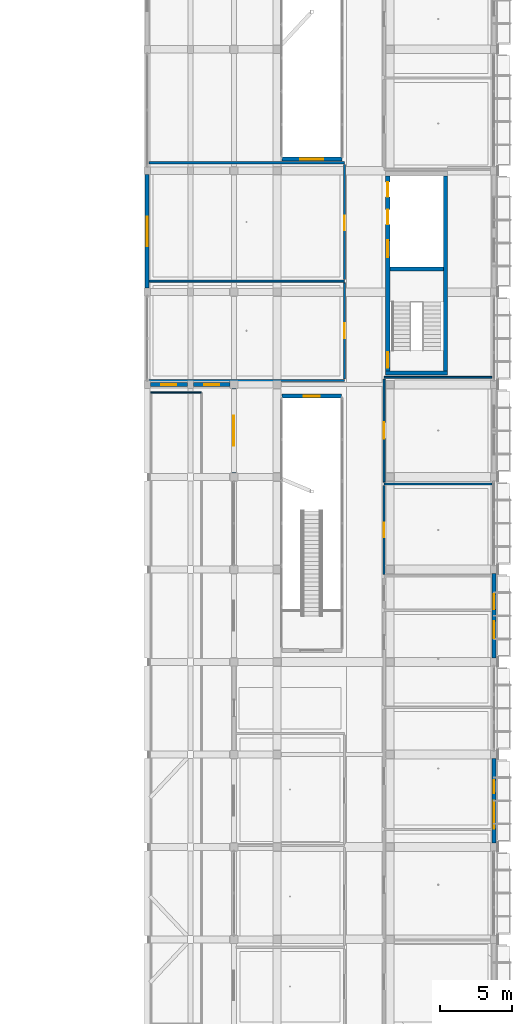
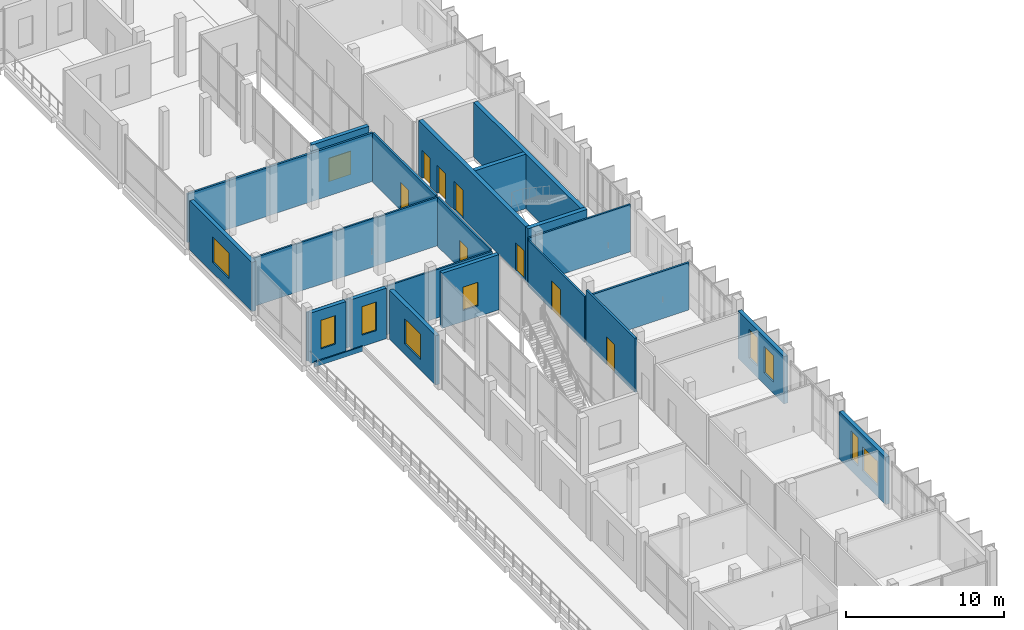
# One storey, part 62 of 95: 22 walls, 10 windows, 8 doors, 18 openings.
"""IFC4 building model written with IfcOpenShell, lengths in metres."""

from ifc_helpers import new_model, si_unit, derived_unit, direction, frame, frame_2d, origin, origin_with_axes, place, context, subcontext, project, spatial, rectangle, extrude, material, layer, layer_set, type_object, element, fill, save


model = new_model("IFC4")

# Units and contexts
model_context = context("Model", 3, precision=1e-05, world=origin(), true_north=direction((0.0, 1.0)))
body_context = subcontext(model_context, "Body", "Model", "MODEL_VIEW")
ifc_project = project(units=[si_unit("LENGTHUNIT", "METRE"), si_unit("AREAUNIT", "SQUARE_METRE"), si_unit("VOLUMEUNIT", "CUBIC_METRE"), si_unit("PLANEANGLEUNIT", "RADIAN"), si_unit("MASSUNIT", "GRAM", prefix="KILO"), derived_unit("THERMALTRANSMITTANCEUNIT", [(si_unit("POWERUNIT", "WATT"), 1), (si_unit("LENGTHUNIT", "METRE"), -2), (si_unit("THERMODYNAMICTEMPERATUREUNIT", "KELVIN"), -1)])], contexts=[model_context])

# Site, building, storey
site_placement = place(None, origin())
site = spatial("IfcSite", under=ifc_project, at=site_placement, CompositionType="ELEMENT")
building_placement = place(site_placement, origin())
building = spatial("IfcBuilding", under=site, at=building_placement, Name="Braskholm Square Health Centre", CompositionType="ELEMENT")
storey_placement = place(building_placement, frame((0.0, 0.0, 4.800048828125)))
storey = spatial("IfcBuildingStorey", under=building, at=storey_placement, Name="L02", CompositionType="ELEMENT", Elevation=4.800048828125)

# Wall, opening, door
ifc_material_1 = material(Name="Acoustic gypsum board partition")
ifc_layer_1 = layer(ifc_material_1, 0.125)
ifc_layer_set_1 = layer_set([ifc_layer_1], Name="Acoustic gypsum board partition")
wall_type_1 = type_object("IfcWallType", Name="ClinicalExamPartition125", PredefinedType="PARTITIONING", material=ifc_layer_set_1)
wall_1_placement = place(storey_placement, frame((156.199951171875, 42.239990234375, 0.0), z_axis=(0.0, 0.0, 1.0), x_axis=(0.0, 1.0, 0.0)))
wall_1 = element("IfcWall", 1, at=wall_1_placement, inside=storey, type_object=wall_type_1, Name="Interior partition PWALL-L02-0347", PredefinedType="PARTITIONING", context=body_context, shape_type="SweptSolid", body=[
    extrude(rectangle(XDim=7.139892578125, YDim=0.125, at=frame_2d((3.56982421875, 0.0))), origin(), (0.0, 0.0, 1.0), 3.544921875),
])
opening_1_placement = place(wall_1_placement, frame((3.0, 0.0, 0.0)))
opening_1 = element("IfcOpeningElement", 2, at=opening_1_placement, cuts=wall_1, Name="Opening D-26", PredefinedType="OPENING", context=body_context, shape_type="SweptSolid", body=[
    extrude(rectangle(XDim=1.139892578125, YDim=2.219970703125, at=frame_2d((0.56982421875, 1.10986328125))), frame((0.0, 0.072509765625, 0.0), z_axis=(0.0, -1.0, 0.0), x_axis=(1.0, 0.0, 0.0)), (0.0, 0.0, 1.0), 0.14501953125),
])
ifc_material_2 = material(Name="Architectural bronze anodised aluminium", Category="aluminium")
door_type_1 = type_object("IfcDoorType", Name="DoorExamWide1140x2220", OperationType="NOTDEFINED", PredefinedType="DOOR", material=ifc_material_2)
door_1_placement = place(opening_1_placement, frame((1.139892578125, 0.0, 0.0), z_axis=(0.0, 0.0, 1.0), x_axis=(-1.0, 0.0, 0.0)))
door_1 = element("IfcDoor", 3, at=door_1_placement, inside=storey, type_object=door_type_1, Name="Interior door 0162 L02", OperationType="SINGLE_SWING_LEFT", OverallHeight=2.219970703125, OverallWidth=1.139892578125, PredefinedType="DOOR", context=body_context, shape_type="SweptSolid", body=[
    extrude(rectangle(XDim=1.139892578125, YDim=2.219970703125, at=frame_2d((0.56982421875, 1.10986328125))), frame((0.0, 0.02490234375, 0.0), z_axis=(0.0, -1.0, 0.0), x_axis=(1.0, 0.0, 0.0)), (0.0, 0.0, 1.0), 0.050048828125),
])
fill(opening_1, door_1)

# Wall
wall_2_placement = place(storey_placement, frame((156.199951171875, 49.5, 0.0), z_axis=(0.0, 0.0, 1.0), x_axis=(1.0, 0.0, 0.0)))
element("IfcWall", 4, at=wall_2_placement, inside=storey, type_object=wall_type_1, Name="Interior partition PWALL-L02-0348", PredefinedType="PARTITIONING", context=body_context, shape_type="SweptSolid", body=[
    extrude(rectangle(XDim=7.4599609375, YDim=0.125, at=frame_2d((3.72998046875, 0.0))), origin(), (0.0, 0.0, 1.0), 3.64501953125),
])

# Wall, opening, door
wall_3_placement = place(storey_placement, frame((153.449951171875, 49.39990234375, 0.0), z_axis=(0.0, 0.0, 1.0), x_axis=(0.0, 1.0, 0.0)))
wall_3 = element("IfcWall", 5, at=wall_3_placement, inside=storey, type_object=wall_type_1, Name="Interior partition PWALL-L02-0372", PredefinedType="PARTITIONING", context=body_context, shape_type="SweptSolid", body=[
    extrude(rectangle(XDim=6.64013671875, YDim=0.125, at=frame_2d((3.320068359375, 0.0))), origin(), (0.0, 0.0, 1.0), 3.794921875),
])
opening_2_placement = place(wall_3_placement, frame((2.81005859375, 0.0, 0.0)))
opening_2 = element("IfcOpeningElement", 6, at=opening_2_placement, cuts=wall_3, Name="Opening D-25", PredefinedType="OPENING", context=body_context, shape_type="SweptSolid", body=[
    extrude(rectangle(XDim=1.02001953125, YDim=2.179931640625, at=frame_2d((0.510009765625, 1.08984375))), frame((0.0, 0.072509765625, 0.0), z_axis=(0.0, -1.0, 0.0), x_axis=(1.0, 0.0, 0.0)), (0.0, 0.0, 1.0), 0.14501953125),
])
door_type_2 = type_object("IfcDoorType", Name="DoorConsultWide1020x2180", OperationType="NOTDEFINED", PredefinedType="DOOR", material=ifc_material_2)
door_2_placement = place(opening_2_placement, origin_with_axes())
door_2 = element("IfcDoor", 7, at=door_2_placement, inside=storey, type_object=door_type_2, Name="Interior door 0175 L02", OperationType="SINGLE_SWING_LEFT", OverallHeight=2.179931640625, OverallWidth=1.02001953125, PredefinedType="DOOR", context=body_context, shape_type="SweptSolid", body=[
    extrude(rectangle(XDim=1.02001953125, YDim=2.179931640625, at=frame_2d((0.510009765625, 1.08984375))), frame((0.0, 0.02490234375, 0.0), z_axis=(0.0, -1.0, 0.0), x_axis=(1.0, 0.0, 0.0)), (0.0, 0.0, 1.0), 0.050048828125),
])
fill(opening_2, door_2)

# Walls
for number, where, z_axis, x_axis, name in (
    (8, (139.93994140625, 49.280029296875, 0.0), (0.0, 0.0, 1.0), (1.0, 0.0, 0.0), "Interior partition PWALL-L02-0373"),
    (9, (139.93994140625, 56.159912109375, 0.0), (0.0, 0.0, 1.0), (1.0, 0.0, 0.0), "Interior partition PWALL-L02-0374"),
):
    element("IfcWall", number, at=place(storey_placement, frame(where, z_axis=z_axis, x_axis=x_axis)), inside=storey, type_object=wall_type_1, Name=name, PredefinedType="PARTITIONING", context=body_context, shape_type="SweptSolid", body=[
        extrude(rectangle(XDim=13.510009765625, YDim=0.125, at=frame_2d((6.7548828125, 0.0))), origin(), (0.0, 0.0, 1.0), 3.73486328125),
    ])

# Wall, opening, door
ifc_layer_2 = layer(ifc_material_1, 0.14990234375)
ifc_layer_set_2 = layer_set([ifc_layer_2], Name="Acoustic gypsum board partition")
wall_type_2 = type_object("IfcWallType", Name="CorridorAcousticPartition150", PredefinedType="PARTITIONING", material=ifc_layer_set_2)
wall_4_placement = place(storey_placement, frame((156.199951171875, 35.860107421875, 0.0), z_axis=(0.0, 0.0, 1.0), x_axis=(0.0, 1.0, 0.0)))
wall_4 = element("IfcWall", 10, at=wall_4_placement, inside=storey, type_object=wall_type_2, Name="Interior partition PWALL-L02-0345", PredefinedType="PARTITIONING", context=body_context, shape_type="SweptSolid", body=[
    extrude(rectangle(XDim=6.139892578125, YDim=0.14990234375, at=frame_2d((3.06982421875, 0.0))), origin(), (0.0, 0.0, 1.0), 4.195068359375),
])
opening_3_placement = place(wall_4_placement, frame((2.570068359375, 0.0, 0.0)))
opening_3 = element("IfcOpeningElement", 11, at=opening_3_placement, cuts=wall_4, Name="Opening D-02", PredefinedType="OPENING", context=body_context, shape_type="SweptSolid", body=[
    extrude(rectangle(XDim=1.0, YDim=2.14990234375, at=frame_2d((0.5, 1.074951171875))), frame((0.0, 0.0849609375, 0.0), z_axis=(0.0, -1.0, 0.0), x_axis=(1.0, 0.0, 0.0)), (0.0, 0.0, 1.0), 0.169921875),
])
door_type_3 = type_object("IfcDoorType", Name="DoorExamSingle1000x2150", OperationType="NOTDEFINED", PredefinedType="DOOR", material=ifc_material_2)
door_3_placement = place(opening_3_placement, frame((1.0, 0.0, 0.0), z_axis=(0.0, 0.0, 1.0), x_axis=(-1.0, 0.0, 0.0)))
door_3 = element("IfcDoor", 12, at=door_3_placement, inside=storey, type_object=door_type_3, Name="Interior door 0161 L02", OperationType="SINGLE_SWING_RIGHT", OverallHeight=2.14990234375, OverallWidth=1.0, PredefinedType="DOOR", context=body_context, shape_type="SweptSolid", body=[
    extrude(rectangle(XDim=1.0, YDim=2.14990234375, at=frame_2d((0.5, 1.074951171875))), frame((0.0, 0.02490234375, 0.0), z_axis=(0.0, -1.0, 0.0), x_axis=(1.0, 0.0, 0.0)), (0.0, 0.0, 1.0), 0.050048828125),
])
fill(opening_3, door_3)

# Wall
wall_5_placement = place(storey_placement, frame((156.199951171875, 42.1201171875, 0.0), z_axis=(0.0, 0.0, 1.0), x_axis=(1.0, 0.0, 0.0)))
element("IfcWall", 13, at=wall_5_placement, inside=storey, type_object=wall_type_2, Name="Interior partition PWALL-L02-0346", PredefinedType="PARTITIONING", context=body_context, shape_type="SweptSolid", body=[
    extrude(rectangle(XDim=7.4599609375, YDim=0.14990234375, at=frame_2d((3.72998046875, 0.0))), origin(), (0.0, 0.0, 1.0), 3.64501953125),
])

# Wall, opening, door
wall_6_placement = place(storey_placement, frame((153.449951171875, 56.280029296875, 0.0), z_axis=(0.0, 0.0, 1.0), x_axis=(0.0, 1.0, 0.0)))
wall_6 = element("IfcWall", 14, at=wall_6_placement, inside=storey, type_object=wall_type_2, Name="Interior partition PWALL-L02-0375", PredefinedType="PARTITIONING", context=body_context, shape_type="SweptSolid", body=[
    extrude(rectangle(XDim=7.949951171875, YDim=0.14990234375, at=frame_2d((3.97509765625, 0.0))), origin(), (0.0, 0.0, 1.0), 3.794921875),
])
opening_4_placement = place(wall_6_placement, frame((3.409912109375, 0.0, 0.0)))
opening_4 = element("IfcOpeningElement", 15, at=opening_4_placement, cuts=wall_6, Name="Opening D-10", PredefinedType="OPENING", context=body_context, shape_type="SweptSolid", body=[
    extrude(rectangle(XDim=0.97998046875, YDim=2.1201171875, at=frame_2d((0.489990234375, 1.06005859375))), frame((0.0, 0.0849609375, 0.0), z_axis=(0.0, -1.0, 0.0), x_axis=(1.0, 0.0, 0.0)), (0.0, 0.0, 1.0), 0.169921875),
])
door_type_4 = type_object("IfcDoorType", Name="DoorUtilityStore980x2120", OperationType="NOTDEFINED", PredefinedType="DOOR", material=ifc_material_2)
door_4_placement = place(opening_4_placement, origin_with_axes())
door_4 = element("IfcDoor", 16, at=door_4_placement, inside=storey, type_object=door_type_4, Name="Interior door 0176 L02", OperationType="SINGLE_SWING_RIGHT", OverallHeight=2.1201171875, OverallWidth=0.97998046875, PredefinedType="DOOR", context=body_context, shape_type="SweptSolid", body=[
    extrude(rectangle(XDim=0.97998046875, YDim=2.1201171875, at=frame_2d((0.489990234375, 1.06005859375))), frame((0.0, 0.02490234375, 0.0), z_axis=(0.0, -1.0, 0.0), x_axis=(1.0, 0.0, 0.0)), (0.0, 0.0, 1.0), 0.050048828125),
])
fill(opening_4, door_4)

# Wall
wall_7_placement = place(storey_placement, frame((139.93994140625, 64.35009765625, 0.0), z_axis=(0.0, 0.0, 1.0), x_axis=(1.0, 0.0, 0.0)))
element("IfcWall", 17, at=wall_7_placement, inside=storey, type_object=wall_type_2, Name="Interior partition PWALL-L02-0376", PredefinedType="PARTITIONING", context=body_context, shape_type="SweptSolid", body=[
    extrude(rectangle(XDim=13.510009765625, YDim=0.14990234375, at=frame_2d((6.7548828125, 0.0))), origin(), (0.0, 0.0, 1.0), 3.73486328125),
])

# Wall, openings, windows
ifc_material_3 = material(Name="Precast concrete C40/50 architectural white", Category="concrete")
ifc_layer_3 = layer(ifc_material_3, 0.280029296875)
ifc_layer_set_3 = layer_set([ifc_layer_3], Name="Precast concrete C40/50 architectural white")
wall_type_3 = type_object("IfcWallType", Name="ExteriorPrecastSpandrelWall280", PredefinedType="SOLIDWALL", material=ifc_layer_set_3)
wall_8_placement = place(storey_placement, frame((163.800048828125, 17.281982421875, 0.0), z_axis=(0.0, 0.0, 1.0), x_axis=(0.0, 1.0, 0.0)))
wall_8 = element("IfcWall", 18, at=wall_8_placement, inside=storey, type_object=wall_type_3, Name="Exterior wall EWALL-L02-0063", PredefinedType="SOLIDWALL", context=body_context, shape_type="SweptSolid", body=[
    extrude(rectangle(XDim=5.8359375, YDim=0.280029296875, at=frame_2d((2.91796875, 0.0))), origin(), (0.0, 0.0, 1.0), 3.64990234375),
])
opening_5_placement = place(wall_8_placement, frame((0.969970703125, 0.0, 0.8798828125)))
opening_5 = element("IfcOpeningElement", 19, at=opening_5_placement, cuts=wall_8, Name="Opening WN-12", PredefinedType="OPENING", context=body_context, shape_type="SweptSolid", body=[
    extrude(rectangle(XDim=1.949951171875, YDim=1.85009765625, at=frame_2d((0.97509765625, 0.925048828125))), frame((0.0, 0.14990234375, 0.0), z_axis=(0.0, -1.0, 0.0), x_axis=(1.0, 0.0, 0.0)), (0.0, 0.0, 1.0), 0.300048828125),
])
opening_6_placement = place(wall_8_placement, frame((3.44091796875, 0.0, 0.8798828125)))
opening_6 = element("IfcOpeningElement", 20, at=opening_6_placement, cuts=wall_8, Name="Opening WN-01", PredefinedType="OPENING", context=body_context, shape_type="SweptSolid", body=[
    extrude(rectangle(XDim=0.89990234375, YDim=2.199951171875, at=frame_2d((0.449951171875, 1.10009765625))), frame((0.0, 0.14990234375, 0.0), z_axis=(0.0, -1.0, 0.0), x_axis=(1.0, 0.0, 0.0)), (0.0, 0.0, 1.0), 0.300048828125),
])
ifc_material_4 = material(Name="Low-E triple insulating glass (VLT 0.64)", Category="glass")
window_type_1 = type_object("IfcWindowType", Name="WinArtDecoLancet900x2200", PartitioningType="SINGLE_PANEL", PredefinedType="WINDOW", material=ifc_material_4)
window_1_placement = place(opening_6_placement, origin_with_axes())
window_1 = element("IfcWindow", 21, at=window_1_placement, inside=storey, type_object=window_type_1, Name="Exterior window 0108 L02", OverallHeight=2.199951171875, OverallWidth=0.89990234375, PartitioningType="SINGLE_PANEL", PredefinedType="WINDOW", context=body_context, shape_type="SweptSolid", body=[
    extrude(rectangle(XDim=0.89990234375, YDim=2.199951171875, at=frame_2d((0.449951171875, 1.10009765625))), frame((0.0, 0.030029296875, 0.0), z_axis=(0.0, -1.0, 0.0), x_axis=(1.0, 0.0, 0.0)), (0.0, 0.0, 1.0), 0.06005859375),
])
fill(opening_6, window_1)
window_type_2 = type_object("IfcWindowType", Name="WinClinicalBay1950x1850", PartitioningType="SINGLE_PANEL", PredefinedType="WINDOW", material=ifc_material_4)
window_2_placement = place(opening_5_placement, origin_with_axes())
window_2 = element("IfcWindow", 22, at=window_2_placement, inside=storey, type_object=window_type_2, Name="Exterior window 0107 L02", OverallHeight=1.85009765625, OverallWidth=1.949951171875, PartitioningType="SINGLE_PANEL", PredefinedType="WINDOW", context=body_context, shape_type="SweptSolid", body=[
    extrude(rectangle(XDim=1.949951171875, YDim=1.85009765625, at=frame_2d((0.97509765625, 0.925048828125))), frame((0.0, 0.030029296875, 0.0), z_axis=(0.0, -1.0, 0.0), x_axis=(1.0, 0.0, 0.0)), (0.0, 0.0, 1.0), 0.06005859375),
])
fill(opening_5, window_2)

wall_9_placement = place(storey_placement, frame((163.800048828125, 30.08203125, 0.0), z_axis=(0.0, 0.0, 1.0), x_axis=(0.0, 1.0, 0.0)))
wall_9 = element("IfcWall", 23, at=wall_9_placement, inside=storey, type_object=wall_type_3, Name="Exterior wall EWALL-L02-0064", PredefinedType="SOLIDWALL", context=body_context, shape_type="SweptSolid", body=[
    extrude(rectangle(XDim=5.8359375, YDim=0.280029296875, at=frame_2d((2.91796875, 0.0))), origin(), (0.0, 0.0, 1.0), 3.64990234375),
])
opening_7_placement = place(wall_9_placement, frame((1.344970703125, 0.0, 0.8798828125)))
opening_7 = element("IfcOpeningElement", 24, at=opening_7_placement, cuts=wall_9, Name="Opening WN-13", PredefinedType="OPENING", context=body_context, shape_type="SweptSolid", body=[
    extrude(rectangle(XDim=1.199951171875, YDim=2.050048828125, at=frame_2d((0.60009765625, 1.02490234375))), frame((0.0, 0.14990234375, 0.0), z_axis=(0.0, -1.0, 0.0), x_axis=(1.0, 0.0, 0.0)), (0.0, 0.0, 1.0), 0.300048828125),
])
opening_8_placement = place(wall_9_placement, frame((3.365966796875, 0.0, 0.8798828125)))
opening_8 = element("IfcOpeningElement", 25, at=opening_8_placement, cuts=wall_9, Name="Opening WN-02", PredefinedType="OPENING", context=body_context, shape_type="SweptSolid", body=[
    extrude(rectangle(XDim=1.050048828125, YDim=2.199951171875, at=frame_2d((0.52490234375, 1.10009765625))), frame((0.0, 0.14990234375, 0.0), z_axis=(0.0, -1.0, 0.0), x_axis=(1.0, 0.0, 0.0)), (0.0, 0.0, 1.0), 0.300048828125),
])
window_type_3 = type_object("IfcWindowType", Name="WinArtDecoLancet1050x2200", PartitioningType="SINGLE_PANEL", PredefinedType="WINDOW", material=ifc_material_4)
window_3_placement = place(opening_8_placement, origin_with_axes())
window_3 = element("IfcWindow", 26, at=window_3_placement, inside=storey, type_object=window_type_3, Name="Exterior window 0110 L02", OverallHeight=2.199951171875, OverallWidth=1.050048828125, PartitioningType="SINGLE_PANEL", PredefinedType="WINDOW", context=body_context, shape_type="SweptSolid", body=[
    extrude(rectangle(XDim=1.050048828125, YDim=2.199951171875, at=frame_2d((0.52490234375, 1.10009765625))), frame((0.0, 0.030029296875, 0.0), z_axis=(0.0, -1.0, 0.0), x_axis=(1.0, 0.0, 0.0)), (0.0, 0.0, 1.0), 0.06005859375),
])
fill(opening_8, window_3)
window_type_4 = type_object("IfcWindowType", Name="WinClinicalTall1200x2050", PartitioningType="SINGLE_PANEL", PredefinedType="WINDOW", material=ifc_material_4)
window_4_placement = place(opening_7_placement, origin_with_axes())
window_4 = element("IfcWindow", 27, at=window_4_placement, inside=storey, type_object=window_type_4, Name="Exterior window 0109 L02", OverallHeight=2.050048828125, OverallWidth=1.199951171875, PartitioningType="SINGLE_PANEL", PredefinedType="WINDOW", context=body_context, shape_type="SweptSolid", body=[
    extrude(rectangle(XDim=1.199951171875, YDim=2.050048828125, at=frame_2d((0.60009765625, 1.02490234375))), frame((0.0, 0.030029296875, 0.0), z_axis=(0.0, -1.0, 0.0), x_axis=(1.0, 0.0, 0.0)), (0.0, 0.0, 1.0), 0.06005859375),
])
fill(opening_7, window_4)

# Wall, opening, window
wall_10_placement = place(storey_placement, frame((145.800048828125, 48.722900390625, 0.0), z_axis=(0.0, 0.0, 1.0), x_axis=(0.0, -1.0, 0.0)))
wall_10 = element("IfcWall", 28, at=wall_10_placement, inside=storey, type_object=wall_type_3, Name="Exterior wall EWALL-L02-0176", PredefinedType="SOLIDWALL", context=body_context, shape_type="SweptSolid", body=[
    extrude(rectangle(XDim=5.845947265625, YDim=0.280029296875, at=frame_2d((2.9228515625, 0.0))), origin(), (0.0, 0.0, 1.0), 3.7900390625),
])
opening_9_placement = place(wall_10_placement, frame((1.89794921875, 0.0, 0.800048828125)))
opening_9 = element("IfcOpeningElement", 29, at=opening_9_placement, cuts=wall_10, Name="Opening WN-25", PredefinedType="OPENING", context=body_context, shape_type="SweptSolid", body=[
    extrude(rectangle(XDim=2.050048828125, YDim=1.949951171875, at=frame_2d((1.02490234375, 0.97509765625))), frame((0.0, 0.14990234375, 0.0), z_axis=(0.0, -1.0, 0.0), x_axis=(1.0, 0.0, 0.0)), (0.0, 0.0, 1.0), 0.300048828125),
])
window_type_5 = type_object("IfcWindowType", Name="WinValleyTerrace2050x1950", PartitioningType="SINGLE_PANEL", PredefinedType="WINDOW", material=ifc_material_4)
window_5_placement = place(opening_9_placement, origin_with_axes())
window_5 = element("IfcWindow", 30, at=window_5_placement, inside=storey, type_object=window_type_5, Name="Exterior window 0238 L02", OverallHeight=1.949951171875, OverallWidth=2.050048828125, PartitioningType="SINGLE_PANEL", PredefinedType="WINDOW", context=body_context, shape_type="SweptSolid", body=[
    extrude(rectangle(XDim=2.050048828125, YDim=1.949951171875, at=frame_2d((1.02490234375, 0.97509765625))), frame((0.0, 0.030029296875, 0.0), z_axis=(0.0, -1.0, 0.0), x_axis=(1.0, 0.0, 0.0)), (0.0, 0.0, 1.0), 0.06005859375),
])
fill(opening_9, window_5)

wall_11_placement = place(storey_placement, frame((139.800048828125, 63.528076171875, 0.0), z_axis=(0.0, 0.0, 1.0), x_axis=(0.0, -1.0, 0.0)))
wall_11 = element("IfcWall", 31, at=wall_11_placement, inside=storey, type_object=wall_type_3, Name="Exterior wall EWALL-L02-0177", PredefinedType="SOLIDWALL", context=body_context, shape_type="SweptSolid", body=[
    extrude(rectangle(XDim=7.85595703125, YDim=0.280029296875, at=frame_2d((3.927978515625, 0.0))), origin(), (0.0, 0.0, 1.0), 3.7900390625),
])
opening_10_placement = place(wall_11_placement, frame((2.903076171875, 0.0, 0.800048828125)))
opening_10 = element("IfcOpeningElement", 32, at=opening_10_placement, cuts=wall_11, Name="Opening WN-25", PredefinedType="OPENING", context=body_context, shape_type="SweptSolid", body=[
    extrude(rectangle(XDim=2.050048828125, YDim=1.949951171875, at=frame_2d((1.02490234375, 0.97509765625))), frame((0.0, 0.14990234375, 0.0), z_axis=(0.0, -1.0, 0.0), x_axis=(1.0, 0.0, 0.0)), (0.0, 0.0, 1.0), 0.300048828125),
])
window_6_placement = place(opening_10_placement, origin_with_axes())
window_6 = element("IfcWindow", 33, at=window_6_placement, inside=storey, type_object=window_type_5, Name="Exterior window 0239 L02", OverallHeight=1.949951171875, OverallWidth=2.050048828125, PartitioningType="SINGLE_PANEL", PredefinedType="WINDOW", context=body_context, shape_type="SweptSolid", body=[
    extrude(rectangle(XDim=2.050048828125, YDim=1.949951171875, at=frame_2d((1.02490234375, 0.97509765625))), frame((0.0, 0.030029296875, 0.0), z_axis=(0.0, -1.0, 0.0), x_axis=(1.0, 0.0, 0.0)), (0.0, 0.0, 1.0), 0.06005859375),
])
fill(opening_10, window_6)

wall_12_placement = place(storey_placement, frame((140.02197265625, 49.0, 0.0), z_axis=(0.0, 0.0, 1.0), x_axis=(1.0, 0.0, 0.0)))
wall_12 = element("IfcWall", 34, at=wall_12_placement, inside=storey, type_object=wall_type_3, Name="Exterior wall EWALL-L02-0211", PredefinedType="SOLIDWALL", context=body_context, shape_type="SweptSolid", body=[
    extrude(rectangle(XDim=2.555908203125, YDim=0.280029296875, at=frame_2d((1.27783203125, 0.0))), origin(), (0.0, 0.0, 1.0), 3.889892578125),
])
opening_11_placement = place(wall_12_placement, frame((0.7529296875, 0.0, 0.8798828125)))
opening_11 = element("IfcOpeningElement", 35, at=opening_11_placement, cuts=wall_12, Name="Opening WN-02", PredefinedType="OPENING", context=body_context, shape_type="SweptSolid", body=[
    extrude(rectangle(XDim=1.050048828125, YDim=2.199951171875, at=frame_2d((0.52490234375, 1.10009765625))), frame((0.0, 0.14990234375, 0.0), z_axis=(0.0, -1.0, 0.0), x_axis=(1.0, 0.0, 0.0)), (0.0, 0.0, 1.0), 0.300048828125),
])
window_7_placement = place(opening_11_placement, origin_with_axes())
window_7 = element("IfcWindow", 36, at=window_7_placement, inside=storey, type_object=window_type_3, Name="Exterior window 0262 L02", OverallHeight=2.199951171875, OverallWidth=1.050048828125, PartitioningType="SINGLE_PANEL", PredefinedType="WINDOW", context=body_context, shape_type="SweptSolid", body=[
    extrude(rectangle(XDim=1.050048828125, YDim=2.199951171875, at=frame_2d((0.52490234375, 1.10009765625))), frame((0.0, 0.030029296875, 0.0), z_axis=(0.0, -1.0, 0.0), x_axis=(1.0, 0.0, 0.0)), (0.0, 0.0, 1.0), 0.06005859375),
])
fill(opening_11, window_7)

wall_13_placement = place(storey_placement, frame((143.02197265625, 49.0, 0.0), z_axis=(0.0, 0.0, 1.0), x_axis=(1.0, 0.0, 0.0)))
wall_13 = element("IfcWall", 37, at=wall_13_placement, inside=storey, type_object=wall_type_3, Name="Exterior wall EWALL-L02-0212", PredefinedType="SOLIDWALL", context=body_context, shape_type="SweptSolid", body=[
    extrude(rectangle(XDim=2.5009765625, YDim=0.280029296875, at=frame_2d((1.25048828125, 0.0))), origin(), (0.0, 0.0, 1.0), 3.889892578125),
])
opening_12_placement = place(wall_13_placement, frame((0.72607421875, 0.0, 0.8798828125)))
opening_12 = element("IfcOpeningElement", 38, at=opening_12_placement, cuts=wall_13, Name="Opening WN-02", PredefinedType="OPENING", context=body_context, shape_type="SweptSolid", body=[
    extrude(rectangle(XDim=1.050048828125, YDim=2.199951171875, at=frame_2d((0.52490234375, 1.10009765625))), frame((0.0, 0.14990234375, 0.0), z_axis=(0.0, -1.0, 0.0), x_axis=(1.0, 0.0, 0.0)), (0.0, 0.0, 1.0), 0.300048828125),
])
window_8_placement = place(opening_12_placement, origin_with_axes())
window_8 = element("IfcWindow", 39, at=window_8_placement, inside=storey, type_object=window_type_3, Name="Exterior window 0263 L02", OverallHeight=2.199951171875, OverallWidth=1.050048828125, PartitioningType="SINGLE_PANEL", PredefinedType="WINDOW", context=body_context, shape_type="SweptSolid", body=[
    extrude(rectangle(XDim=1.050048828125, YDim=2.199951171875, at=frame_2d((0.52490234375, 1.10009765625))), frame((0.0, 0.030029296875, 0.0), z_axis=(0.0, -1.0, 0.0), x_axis=(1.0, 0.0, 0.0)), (0.0, 0.0, 1.0), 0.06005859375),
])
fill(opening_12, window_8)

wall_14_placement = place(storey_placement, frame((149.134033203125, 48.199951171875, 0.0), z_axis=(0.0, 0.0, 1.0), x_axis=(1.0, 0.0, 0.0)))
wall_14 = element("IfcWall", 40, at=wall_14_placement, inside=storey, type_object=wall_type_3, Name="Exterior wall EWALL-L02-0310", PredefinedType="SOLIDWALL", context=body_context, shape_type="SweptSolid", body=[
    extrude(rectangle(XDim=4.132080078125, YDim=0.280029296875, at=frame_2d((2.06591796875, 0.0))), origin(), (0.0, 0.0, 1.0), 4.25),
])
opening_13_placement = place(wall_14_placement, frame((1.51611328125, 0.0, 0.85009765625)))
opening_13 = element("IfcOpeningElement", 41, at=opening_13_placement, cuts=wall_14, Name="Opening WN-26", PredefinedType="OPENING", context=body_context, shape_type="SweptSolid", body=[
    extrude(rectangle(XDim=1.10009765625, YDim=1.800048828125, at=frame_2d((0.550048828125, 0.89990234375))), frame((0.0, 0.14990234375, 0.0), z_axis=(0.0, -1.0, 0.0), x_axis=(1.0, 0.0, 0.0)), (0.0, 0.0, 1.0), 0.300048828125),
])
window_type_6 = type_object("IfcWindowType", Name="WinLightCourt1100x1800", PartitioningType="SINGLE_PANEL", PredefinedType="WINDOW", material=ifc_material_4)
window_9_placement = place(opening_13_placement, origin_with_axes())
window_9 = element("IfcWindow", 42, at=window_9_placement, inside=storey, type_object=window_type_6, Name="Exterior window 0356 L02", OverallHeight=1.800048828125, OverallWidth=1.10009765625, PartitioningType="SINGLE_PANEL", PredefinedType="WINDOW", context=body_context, shape_type="SweptSolid", body=[
    extrude(rectangle(XDim=1.10009765625, YDim=1.800048828125, at=frame_2d((0.550048828125, 0.89990234375))), frame((0.0, 0.030029296875, 0.0), z_axis=(0.0, -1.0, 0.0), x_axis=(1.0, 0.0, 0.0)), (0.0, 0.0, 1.0), 0.06005859375),
])
fill(opening_13, window_9)

wall_15_placement = place(storey_placement, frame((153.26611328125, 64.60009765625, 0.0), z_axis=(0.0, 0.0, 1.0), x_axis=(-1.0, 0.0, 0.0)))
wall_15 = element("IfcWall", 43, at=wall_15_placement, inside=storey, type_object=wall_type_3, Name="Exterior wall EWALL-L02-0319", PredefinedType="SOLIDWALL", context=body_context, shape_type="SweptSolid", body=[
    extrude(rectangle(XDim=4.132080078125, YDim=0.280029296875, at=frame_2d((2.06591796875, 0.0))), origin(), (0.0, 0.0, 1.0), 4.199951171875),
])
opening_14_placement = place(wall_15_placement, frame((1.26611328125, 0.0, 0.85009765625)))
opening_14 = element("IfcOpeningElement", 44, at=opening_14_placement, cuts=wall_15, Name="Opening WN-27", PredefinedType="OPENING", context=body_context, shape_type="SweptSolid", body=[
    extrude(rectangle(XDim=1.60009765625, YDim=1.800048828125, at=frame_2d((0.800048828125, 0.89990234375))), frame((0.0, 0.14990234375, 0.0), z_axis=(0.0, -1.0, 0.0), x_axis=(1.0, 0.0, 0.0)), (0.0, 0.0, 1.0), 0.300048828125),
])
window_type_7 = type_object("IfcWindowType", Name="WinLightCourt1600x1800", PartitioningType="SINGLE_PANEL", PredefinedType="WINDOW", material=ifc_material_4)
window_10_placement = place(opening_14_placement, origin_with_axes())
window_10 = element("IfcWindow", 45, at=window_10_placement, inside=storey, type_object=window_type_7, Name="Exterior window 0365 L02", OverallHeight=1.800048828125, OverallWidth=1.60009765625, PartitioningType="SINGLE_PANEL", PredefinedType="WINDOW", context=body_context, shape_type="SweptSolid", body=[
    extrude(rectangle(XDim=1.60009765625, YDim=1.800048828125, at=frame_2d((0.800048828125, 0.89990234375))), frame((0.0, 0.030029296875, 0.0), z_axis=(0.0, -1.0, 0.0), x_axis=(1.0, 0.0, 0.0)), (0.0, 0.0, 1.0), 0.06005859375),
])
fill(opening_14, window_10)

# Wall
ifc_material_5 = material(Name="Concrete C40/50 (f'c = 40 MPa)", Category="concrete")
ifc_layer_4 = layer(ifc_material_5, 0.300048828125)
ifc_layer_set_4 = layer_set([ifc_layer_4], Name="Concrete C40/50 (f'c = 40 MPa)")
wall_type_4 = type_object("IfcWallType", Name="ShearCoreWall300", PredefinedType="SHEAR", material=ifc_layer_set_4)
wall_16_placement = place(storey_placement, frame((156.300048828125, 49.800048828125, 0.0), z_axis=(0.0, 0.0, 1.0), x_axis=(1.0, 0.0, 0.0)))
element("IfcWall", 46, at=wall_16_placement, inside=storey, type_object=wall_type_4, Name="CWALL-K4-L02 south wall", PredefinedType="SHEAR", context=body_context, shape_type="SweptSolid", body=[
    extrude(rectangle(XDim=4.300048828125, YDim=0.300048828125, at=frame_2d((2.14990234375, 0.0))), origin(), (0.0, 0.0, 1.0), 4.199951171875),
])

# Wall, openings, doors
wall_17_placement = place(storey_placement, frame((156.449951171875, 63.449951171875, 0.0), z_axis=(0.0, 0.0, 1.0), x_axis=(0.0, -1.0, 0.0)))
wall_17 = element("IfcWall", 47, at=wall_17_placement, inside=storey, type_object=wall_type_4, Name="CWALL-K4-L02 west wall", PredefinedType="SHEAR", context=body_context, shape_type="SweptSolid", body=[
    extrude(rectangle(XDim=13.5, YDim=0.300048828125, at=frame_2d((6.75, 0.0))), origin(), (0.0, 0.0, 1.0), 4.199951171875),
])
opening_15_placement = place(wall_17_placement, frame((12.199951171875, 0.0, 0.0)))
opening_15 = element("IfcOpeningElement", 48, at=opening_15_placement, cuts=wall_17, Name="Opening D-22", PredefinedType="OPENING", context=body_context, shape_type="SweptSolid", body=[
    extrude(rectangle(XDim=1.10009765625, YDim=2.199951171875, at=frame_2d((0.550048828125, 1.10009765625))), frame((0.0, 0.16015625, 0.0), z_axis=(0.0, -1.0, 0.0), x_axis=(1.0, 0.0, 0.0)), (0.0, 0.0, 1.0), 0.320068359375),
])
opening_16_placement = place(wall_17_placement, frame((4.47509765625, 0.0, 0.0)))
opening_16 = element("IfcOpeningElement", 49, at=opening_16_placement, cuts=wall_17, Name="Opening LD-1", PredefinedType="OPENING", context=body_context, shape_type="SweptSolid", body=[
    extrude(rectangle(XDim=1.14990234375, YDim=2.199951171875, at=frame_2d((0.574951171875, 1.10009765625))), frame((0.0, 0.16015625, 0.0), z_axis=(0.0, -1.0, 0.0), x_axis=(1.0, 0.0, 0.0)), (0.0, 0.0, 1.0), 0.320068359375),
])
opening_17_placement = place(wall_17_placement, frame((2.340087890625, 0.0, 0.0)))
opening_17 = element("IfcOpeningElement", 50, at=opening_17_placement, cuts=wall_17, Name="Opening LD-2", PredefinedType="OPENING", context=body_context, shape_type="SweptSolid", body=[
    extrude(rectangle(XDim=1.02001953125, YDim=2.14990234375, at=frame_2d((0.510009765625, 1.074951171875))), frame((0.0, 0.16015625, 0.0), z_axis=(0.0, -1.0, 0.0), x_axis=(1.0, 0.0, 0.0)), (0.0, 0.0, 1.0), 0.320068359375),
])
opening_18_placement = place(wall_17_placement, frame((0.43994140625, 0.0, 0.0)))
opening_18 = element("IfcOpeningElement", 51, at=opening_18_placement, cuts=wall_17, Name="Opening LD-2", PredefinedType="OPENING", context=body_context, shape_type="SweptSolid", body=[
    extrude(rectangle(XDim=1.02001953125, YDim=2.14990234375, at=frame_2d((0.510009765625, 1.074951171875))), frame((0.0, 0.16015625, 0.0), z_axis=(0.0, -1.0, 0.0), x_axis=(1.0, 0.0, 0.0)), (0.0, 0.0, 1.0), 0.320068359375),
])
door_type_5 = type_object("IfcDoorType", Name="DoorLiftLandingPassenger1020x2150", OperationType="SLIDING_TO_LEFT", PredefinedType="DOOR", material=ifc_material_2)
door_5_placement = place(opening_17_placement, origin_with_axes())
door_5 = element("IfcDoor", 52, at=door_5_placement, inside=storey, type_object=door_type_5, Name="Elevator EL-05 sliding landing door L02", OperationType="SLIDING_TO_LEFT", OverallHeight=2.14990234375, OverallWidth=1.02001953125, PredefinedType="DOOR", context=body_context, shape_type="SweptSolid", body=[
    extrude(rectangle(XDim=1.02001953125, YDim=2.14990234375, at=frame_2d((0.510009765625, 1.074951171875))), frame((0.0, 0.02490234375, 0.0), z_axis=(0.0, -1.0, 0.0), x_axis=(1.0, 0.0, 0.0)), (0.0, 0.0, 1.0), 0.050048828125),
])
fill(opening_17, door_5)
door_6_placement = place(opening_18_placement, origin_with_axes())
door_6 = element("IfcDoor", 53, at=door_6_placement, inside=storey, type_object=door_type_5, Name="Elevator EL-06 sliding landing door L02", OperationType="SLIDING_TO_LEFT", OverallHeight=2.14990234375, OverallWidth=1.02001953125, PredefinedType="DOOR", context=body_context, shape_type="SweptSolid", body=[
    extrude(rectangle(XDim=1.02001953125, YDim=2.14990234375, at=frame_2d((0.510009765625, 1.074951171875))), frame((0.0, 0.02490234375, 0.0), z_axis=(0.0, -1.0, 0.0), x_axis=(1.0, 0.0, 0.0)), (0.0, 0.0, 1.0), 0.050048828125),
])
fill(opening_18, door_6)
door_type_6 = type_object("IfcDoorType", Name="DoorLiftLandingStretcher1150x2200", OperationType="SLIDING_TO_LEFT", PredefinedType="DOOR", material=ifc_material_2)
door_7_placement = place(opening_16_placement, origin_with_axes())
door_7 = element("IfcDoor", 54, at=door_7_placement, inside=storey, type_object=door_type_6, Name="Elevator EL-02 sliding landing door L02", OperationType="SLIDING_TO_LEFT", OverallHeight=2.199951171875, OverallWidth=1.14990234375, PredefinedType="DOOR", context=body_context, shape_type="SweptSolid", body=[
    extrude(rectangle(XDim=1.14990234375, YDim=2.199951171875, at=frame_2d((0.574951171875, 1.10009765625))), frame((0.0, 0.02490234375, 0.0), z_axis=(0.0, -1.0, 0.0), x_axis=(1.0, 0.0, 0.0)), (0.0, 0.0, 1.0), 0.050048828125),
])
fill(opening_16, door_7)
door_type_7 = type_object("IfcDoorType", Name="DoorStairEnclosure1100x2200", OperationType="NOTDEFINED", PredefinedType="DOOR", material=ifc_material_2)
door_8_placement = place(opening_15_placement, origin_with_axes())
door_8 = element("IfcDoor", 55, at=door_8_placement, inside=storey, type_object=door_type_7, Name="Stair ST-04 door L02", OperationType="SINGLE_SWING_LEFT", OverallHeight=2.199951171875, OverallWidth=1.10009765625, PredefinedType="DOOR", context=body_context, shape_type="SweptSolid", body=[
    extrude(rectangle(XDim=1.10009765625, YDim=2.199951171875, at=frame_2d((0.550048828125, 1.10009765625))), frame((0.0, 0.02490234375, 0.0), z_axis=(0.0, -1.0, 0.0), x_axis=(1.0, 0.0, 0.0)), (0.0, 0.0, 1.0), 0.050048828125),
])
fill(opening_15, door_8)

# Walls
wall_18_placement = place(storey_placement, frame((160.449951171875, 49.949951171875, 0.0), z_axis=(0.0, 0.0, 1.0), x_axis=(0.0, 1.0, 0.0)))
element("IfcWall", 56, at=wall_18_placement, inside=storey, type_object=wall_type_4, Name="CWALL-K4-L02 east wall", PredefinedType="SHEAR", context=body_context, shape_type="SweptSolid", body=[
    extrude(rectangle(XDim=13.5, YDim=0.300048828125, at=frame_2d((6.75, 0.0))), origin(), (0.0, 0.0, 1.0), 4.199951171875),
])
wall_19_placement = place(storey_placement, frame((156.60009765625, 57.0, 0.0), z_axis=(0.0, 0.0, 1.0), x_axis=(1.0, 0.0, 0.0)))
element("IfcWall", 57, at=wall_19_placement, inside=storey, type_object=wall_type_4, Name="Core K4 internal shear divider L02", PredefinedType="SHEAR", context=body_context, shape_type="SweptSolid", body=[
    extrude(rectangle(XDim=3.699951171875, YDim=0.300048828125, at=frame_2d((1.85009765625, 0.0))), origin(), (0.0, 0.0, 1.0), 4.199951171875),
])
ifc_layer_5 = layer(ifc_material_3, 0.10009765625)
ifc_layer_set_5 = layer_set([ifc_layer_5], Name="Precast concrete C40/50 architectural white")
wall_type_5 = type_object("IfcWallType", Name="SteppedPrecastParapet100", PredefinedType="PARAPET", material=ifc_layer_set_5)
wall_20_placement = place(storey_placement, frame((143.550048828125, 48.449951171875, 0.0), z_axis=(0.0, 0.0, 1.0), x_axis=(-1.0, 0.0, 0.0)))
element("IfcWall", 58, at=wall_20_placement, inside=storey, type_object=wall_type_5, Name="Stepped precast planter parapet 007", PredefinedType="PARAPET", context=body_context, shape_type="SweptSolid", body=[
    extrude(rectangle(XDim=3.5, YDim=0.10009765625, at=frame_2d((1.75, 0.0))), origin(), (0.0, 0.0, 1.0), 0.3798828125),
])

save(model, "model.ifc")
